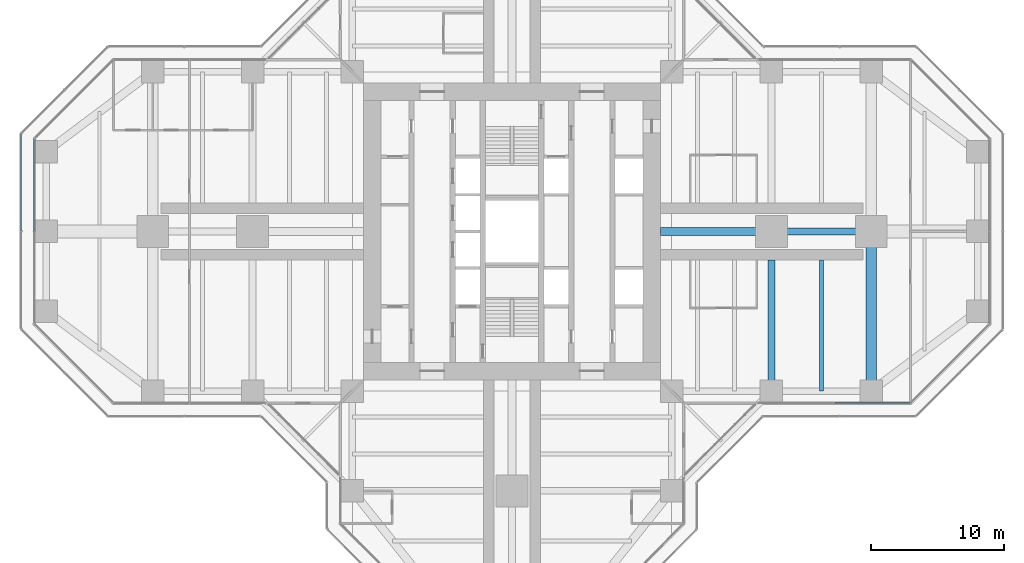
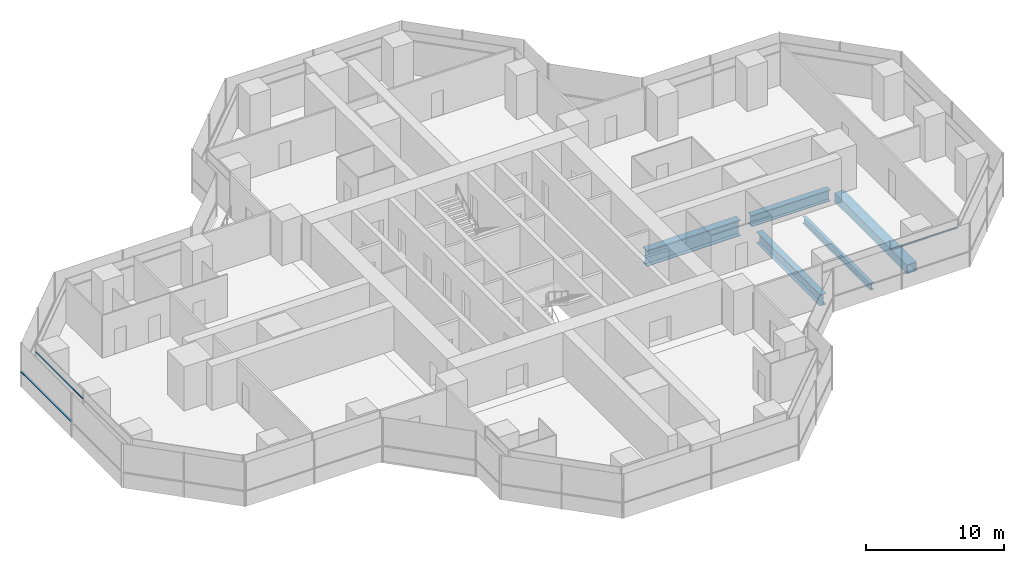
# One storey, part 6 of 19: 5 beams, 3 members, 3 elements without a shape of their own.
"""IFC4 building model written with IfcOpenShell, lengths in metres."""

from ifc_helpers import new_model, si_unit, direction, frame, origin, origin_2d, place, context, subcontext, project, spatial, rectangle, hollow_rectangle, i_section, extrude, material, material_profile, profile_set, type_object, element, aggregate, save


model = new_model("IFC4")

# Units and contexts
model_context = context("Model", 3, precision=1e-05, world=origin(), true_north=direction((0.0, 1.0)))
body_context = subcontext(model_context, "Body", "Model", "MODEL_VIEW")
ifc_project = project(units=[si_unit("LENGTHUNIT", "METRE"), si_unit("AREAUNIT", "SQUARE_METRE"), si_unit("VOLUMEUNIT", "CUBIC_METRE"), si_unit("PLANEANGLEUNIT", "RADIAN"), si_unit("MASSUNIT", "GRAM", prefix="KILO")], contexts=[model_context])

# Site, building, storey
site_placement = place(None, origin())
site = spatial("IfcSite", under=ifc_project, at=site_placement, CompositionType="ELEMENT")
building_placement = place(site_placement, origin())
building = spatial("IfcBuilding", under=site, at=building_placement, Name="Mizan Broadcast Tower", CompositionType="ELEMENT")
storey_placement = place(building_placement, frame((0.0, 0.0, 159.300048828125)))
storey = spatial("IfcBuildingStorey", under=building, at=storey_placement, Name="L36", CompositionType="ELEMENT", Elevation=159.300048828125)

# Beams
ifc_material_1 = material(Name="Steel S460", Category="steel")
ifc_material_profile_1 = material_profile(ifc_material_1, hollow_rectangle(XDim=0.800048828125, YDim=0.800048828125, WallThickness=0.050048828125, at=origin_2d()), Name="BOX 800x800x50")
ifc_profile_set_1 = profile_set([ifc_material_profile_1], Name="Steel S460")
beam_type_1 = type_object("IfcBeamType", Name="GIRDER BOX 800x800x50", PredefinedType="BEAM", material=ifc_profile_set_1)
beam_1_placement = place(storey_placement, frame((27.0, -11.280029296875, -0.530029296875), z_axis=(0.0, 1.0, 0.0), x_axis=(-1.0, 0.0, 0.0)))
element("IfcBeam", 1, at=beam_1_placement, inside=storey, type_object=beam_type_1, Name="Girder BOX 800x800x50 L36 east arm", PredefinedType="BEAM", context=body_context, shape_type="SweptSolid", body=[
    extrude(hollow_rectangle(XDim=0.800048828125, YDim=0.800048828125, WallThickness=0.050048828125, at=origin_2d()), origin(), (0.0, 0.0, 1.0), 10.56005859375),
])
ifc_material_2 = material(Name="Steel S460", Category="steel")
ifc_material_profile_2 = material_profile(ifc_material_2, i_section(OverallWidth=0.5, OverallDepth=1.0, WebThickness=0.02490234375, FlangeThickness=0.050048828125, at=origin_2d()), Name="WPG 1000x500")
ifc_profile_set_2 = profile_set([ifc_material_profile_2], Name="Steel S460")
beam_type_2 = type_object("IfcBeamType", Name="GIRDER WPG 1000x500", PredefinedType="BEAM", material=ifc_profile_set_2)
beam_2_placement = place(storey_placement, frame((19.949951171875, 0.0, -0.630126953125), z_axis=(1.0, 0.0, 0.0), x_axis=(0.0, 1.0, 0.0)))
element("IfcBeam", 2, at=beam_2_placement, inside=storey, type_object=beam_type_2, Name="Girder WPG 1000x500 L36 east arm", PredefinedType="BEAM", context=body_context, shape_type="SweptSolid", body=[
    extrude(i_section(OverallWidth=0.5, OverallDepth=1.0, WebThickness=0.02490234375, FlangeThickness=0.050048828125, at=origin_2d()), origin(), (0.0, 0.0, 1.0), 6.60009765625),
])
beam_3_placement = place(storey_placement, frame((19.5, -11.408935546875, -0.630126953125), z_axis=(0.0, 1.0, 0.0), x_axis=(-1.0, 0.0, 0.0)))
element("IfcBeam", 3, at=beam_3_placement, inside=storey, type_object=beam_type_2, Name="Girder WPG 1000x500 L36 east arm", PredefinedType="BEAM", context=body_context, shape_type="SweptSolid", body=[
    extrude(i_section(OverallWidth=0.5, OverallDepth=1.0, WebThickness=0.02490234375, FlangeThickness=0.050048828125, at=origin_2d()), origin(), (0.0, 0.0, 1.0), 9.259033203125),
])
ifc_material_3 = material(Name="Steel S460", Category="steel")
ifc_material_profile_3 = material_profile(ifc_material_3, i_section(OverallWidth=0.60009765625, OverallDepth=1.39990234375, WebThickness=0.02490234375, FlangeThickness=0.06005859375, at=origin_2d()), Name="WPG 1400x600")
ifc_profile_set_3 = profile_set([ifc_material_profile_3], Name="Steel S460")
beam_type_3 = type_object("IfcBeamType", Name="GIRDER WPG 1400x600", PredefinedType="BEAM", material=ifc_profile_set_3)
beam_4_placement = place(storey_placement, frame((11.14990234375, 0.0, -0.830078125), z_axis=(1.0, 0.0, 0.0), x_axis=(0.0, 1.0, 0.0)))
element("IfcBeam", 4, at=beam_4_placement, inside=storey, type_object=beam_type_3, Name="Girder WPG 1400x600 L36 east arm", PredefinedType="BEAM", context=body_context, shape_type="SweptSolid", body=[
    extrude(i_section(OverallWidth=0.60009765625, OverallDepth=1.39990234375, WebThickness=0.02490234375, FlangeThickness=0.06005859375, at=origin_2d()), origin(), (0.0, 0.0, 1.0), 7.84912109375),
])

# Curtain wall, member
ifc_material_4 = material(Name="Aluminium framed glazing", Category="aluminium")
curtain_wall_type_1 = type_object("IfcCurtainWallType", Name="INNER SKIN MID ZONE", PredefinedType="USERDEFINED", material=ifc_material_4)
curtain_wall_1_placement = place(storey_placement, origin())
curtain_wall_1 = element("IfcCurtainWall", 5, at=curtain_wall_1_placement, inside=storey, type_object=curtain_wall_type_1, Name="Inner skin mid zone L36 E side", ObjectType="INNER SKIN MID ZONE", PredefinedType="USERDEFINED")
ifc_material_5 = material(Name="Aluminium, pale anodised", Category="aluminium")
ifc_material_profile_4 = material_profile(ifc_material_5, rectangle(XDim=0.1201171875, YDim=0.06005859375, at=origin_2d()), Name="TRANSOM 120x60")
ifc_profile_set_4 = profile_set([ifc_material_profile_4], Name="Aluminium, pale anodised")
member_type_1 = type_object("IfcMemberType", Name="INNER SKIN TRANSOM 60x120", PredefinedType="USERDEFINED", material=ifc_profile_set_4)
member_1_placement = place(storey_placement, frame((24.25927734375, -12.89990234375, 3.030029296875), z_axis=(1.0, 0.0, 0.0), x_axis=(0.0, 1.0, 0.0)))
member_1 = element("IfcMember", 6, at=member_1_placement, type_object=member_type_1, Name="Inner skin mid zone L36 E side transom 2.1", ObjectType="TRANSOM", PredefinedType="USERDEFINED", context=body_context, shape_type="SweptSolid", body=[
    extrude(rectangle(XDim=0.1201171875, YDim=0.06005859375, at=origin_2d()), origin(), (0.0, 0.0, 1.0), 5.639404296875),
])
aggregate(curtain_wall_1, [member_1])

curtain_wall_2_placement = place(storey_placement, origin())
curtain_wall_2 = element("IfcCurtainWall", 7, at=curtain_wall_2_placement, inside=storey, type_object=curtain_wall_type_1, Name="Inner skin mid zone L36 W end", ObjectType="INNER SKIN MID ZONE", PredefinedType="USERDEFINED")
member_2_placement = place(storey_placement, frame((-35.89990234375, 6.898681640625, 3.030029296875), z_axis=(0.0, -1.0, 0.0), x_axis=(1.0, 0.0, 0.0)))
member_2 = element("IfcMember", 8, at=member_2_placement, type_object=member_type_1, Name="Inner skin mid zone L36 W end transom 1.1", ObjectType="TRANSOM", PredefinedType="USERDEFINED", context=body_context, shape_type="SweptSolid", body=[
    extrude(rectangle(XDim=0.1201171875, YDim=0.06005859375, at=origin_2d()), origin(), (0.0, 0.0, 1.0), 6.86865234375),
])
aggregate(curtain_wall_2, [member_2])

ifc_material_6 = material(Name="Aluminium framed glazing", Category="aluminium")
curtain_wall_type_2 = type_object("IfcCurtainWallType", Name="OUTER SKIN", PredefinedType="USERDEFINED", material=ifc_material_6)
curtain_wall_3_placement = place(storey_placement, origin())
curtain_wall_3 = element("IfcCurtainWall", 9, at=curtain_wall_3_placement, inside=storey, type_object=curtain_wall_type_2, Name="Outer skin L36 W end", ObjectType="OUTER SKIN", PredefinedType="USERDEFINED")
ifc_material_7 = material(Name="Aluminium, pale anodised", Category="aluminium")
ifc_material_profile_5 = material_profile(ifc_material_7, rectangle(XDim=0.159912109375, YDim=0.06005859375, at=origin_2d()), Name="TRANSOM 160x60")
ifc_profile_set_5 = profile_set([ifc_material_profile_5], Name="Aluminium, pale anodised")
member_type_2 = type_object("IfcMemberType", Name="OUTER SKIN TRANSOM 60x160", PredefinedType="USERDEFINED", material=ifc_profile_set_5)
member_3_placement = place(storey_placement, frame((-36.89990234375, 7.292724609375, 1.39990234375), z_axis=(0.0, -1.0, 0.0), x_axis=(1.0, 0.0, 0.0)))
member_3 = element("IfcMember", 10, at=member_3_placement, type_object=member_type_2, Name="Outer skin L36 W end transom 1.1", ObjectType="TRANSOM", PredefinedType="USERDEFINED", context=body_context, shape_type="SweptSolid", body=[
    extrude(rectangle(XDim=0.159912109375, YDim=0.06005859375, at=origin_2d()), origin(), (0.0, 0.0, 1.0), 7.252685546875),
])
aggregate(curtain_wall_3, [member_3])

# Beam
ifc_material_8 = material(Name="Steel S355", Category="steel")
ifc_material_profile_6 = material_profile(ifc_material_8, i_section(OverallWidth=0.300048828125, OverallDepth=0.590087890625, WebThickness=0.012939453125, FlangeThickness=0.02490234375, FilletRadius=0.027099609375, at=origin_2d()), Name="HEA 600")
ifc_profile_set_6 = profile_set([ifc_material_profile_6], Name="Steel S355")
beam_type_4 = type_object("IfcBeamType", Name="SECONDARY BEAM HEA 600", PredefinedType="JOIST", material=ifc_profile_set_6)
beam_5_placement = place(storey_placement, frame((23.25, -12.0, -0.425048828125), z_axis=(0.0, 1.0, 0.0), x_axis=(-1.0, 0.0, 0.0)))
element("IfcBeam", 11, at=beam_5_placement, inside=storey, type_object=beam_type_4, Name="Secondary beam HEA 600 L36 east arm", PredefinedType="JOIST", context=body_context, shape_type="SweptSolid", body=[
    extrude(i_section(OverallWidth=0.300048828125, OverallDepth=0.590087890625, WebThickness=0.012939453125, FlangeThickness=0.02490234375, FilletRadius=0.027099609375, at=origin_2d()), origin(), (0.0, 0.0, 1.0), 9.85009765625),
])

save(model, "model.ifc")
